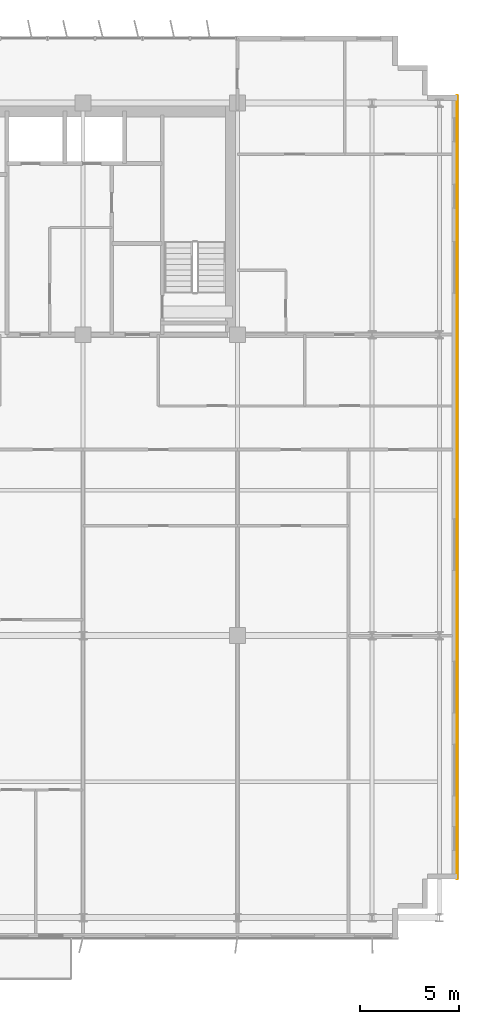
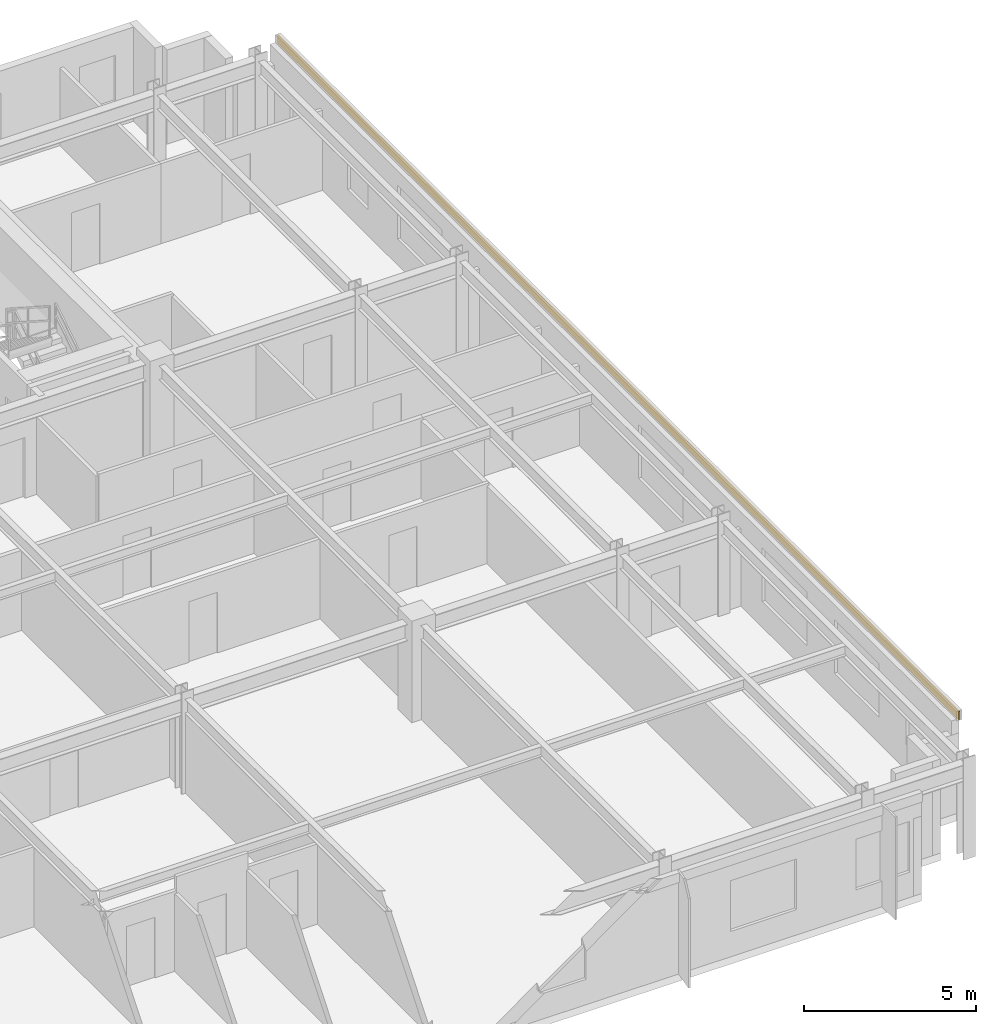
# One storey, part 22 of 22: 1 covering.
"""IFC4 building model written with IfcOpenShell, lengths in metres."""

from ifc_helpers import new_model, si_unit, direction, frame, origin, origin_2d, place, context, subcontext, project, spatial, rectangle, extrude, source, transform, mapped, material, layer, layer_set, type_object, element, save


model = new_model("IFC4")

# Units and contexts
model_context = context("Model", 3, precision=1e-05, world=origin(), true_north=direction((0.0, 1.0)))
body_context = subcontext(model_context, "Body", "Model", "MODEL_VIEW")
ifc_project = project(units=[si_unit("LENGTHUNIT", "METRE"), si_unit("AREAUNIT", "SQUARE_METRE"), si_unit("VOLUMEUNIT", "CUBIC_METRE"), si_unit("PLANEANGLEUNIT", "RADIAN"), si_unit("MASSUNIT", "GRAM", prefix="KILO")], contexts=[model_context])

# Site, building, storey
site_placement = place(None, origin())
site = spatial("IfcSite", under=ifc_project, at=site_placement, CompositionType="ELEMENT")
building_placement = place(site_placement, origin())
building = spatial("IfcBuilding", under=site, at=building_placement, Name="Trelvane Seafront Commons", CompositionType="ELEMENT")
storey_placement = place(building_placement, frame((0.0, 0.0, 117.699951171875)))
storey = spatial("IfcBuildingStorey", under=building, at=storey_placement, Name="L30", CompositionType="ELEMENT", Elevation=117.699951171875)

# Covering
ifc_material = material(Name="Anodised pale-silver aluminium", Category="aluminium")
ifc_layer = layer(ifc_material, 0.034912109375, Name="ARCH-COV-CLAD35")
ifc_layer_set = layer_set([ifc_layer], Name="Anodised pale-silver aluminium")
covering_type = type_object("IfcCoveringType", Name="ARCH-COV-CLAD35", PredefinedType="CLADDING", material=ifc_layer_set)
shared_shape = source(origin(), body_context, "Body", "SweptSolid", [
    extrude(rectangle(XDim=39.60009765625, YDim=0.034912109375, at=origin_2d()), origin(), (0.0, 0.0, 1.0), 0.300048828125),
])
covering_placement = place(storey_placement, frame((69.89990234375, 25.699951171875, 3.2998046875), z_axis=(0.0, 0.0, 1.0), x_axis=(0.0, -1.0, 0.0)))
element("IfcCovering", 1, at=covering_placement, inside=storey, type_object=covering_type, Name="CLD-L30-00122", PredefinedType="CLADDING", context=body_context, shape_type="MappedRepresentation", body=[
    mapped(shared_shape, transform((0.0, 0.0, 0.0), x_axis=(1.0, 0.0, 0.0), y_axis=(0.0, 1.0, 0.0), z_axis=(0.0, 0.0, 1.0), scale=1.0)),
])

save(model, "model.ifc")
